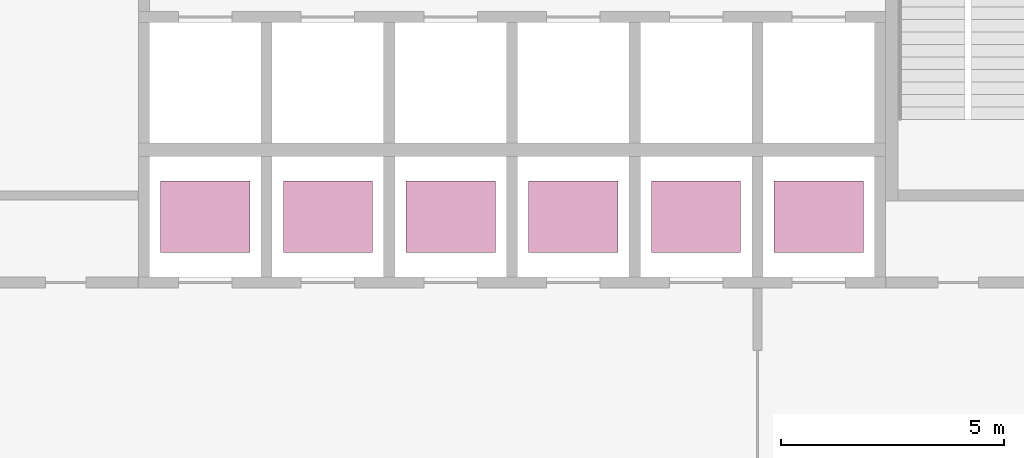
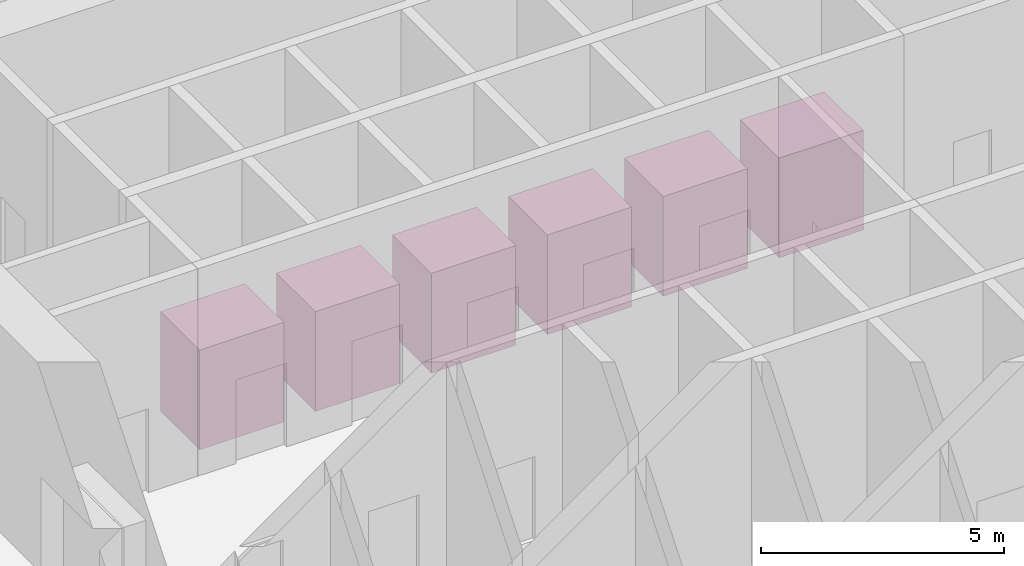
# One storey, part 20 of 21: 6 transport elements.
"""IFC4 building model written with IfcOpenShell, lengths in metres."""

from ifc_helpers import new_model, si_unit, direction, frame, origin, origin_2d, place, context, subcontext, project, spatial, rectangle, extrude, material, type_object, element, save


model = new_model("IFC4")

# Units and contexts
model_context = context("Model", 3, precision=1e-05, world=origin(), true_north=direction((0.0, 1.0)))
body_context = subcontext(model_context, "Body", "Model", "MODEL_VIEW")
ifc_project = project(units=[si_unit("LENGTHUNIT", "METRE"), si_unit("AREAUNIT", "SQUARE_METRE"), si_unit("VOLUMEUNIT", "CUBIC_METRE"), si_unit("PLANEANGLEUNIT", "RADIAN"), si_unit("MASSUNIT", "GRAM", prefix="KILO")], contexts=[model_context])

# Site, building, storey
site_placement = place(None, origin())
site = spatial("IfcSite", under=ifc_project, at=site_placement, CompositionType="ELEMENT")
building_placement = place(site_placement, origin())
building = spatial("IfcBuilding", under=site, at=building_placement, Name="Dilmun Exchange Tower", CompositionType="ELEMENT")
storey_placement = place(building_placement, frame((0.0, 0.0, 130.10009765625)))
storey = spatial("IfcBuildingStorey", under=building, at=storey_placement, Name="L30", CompositionType="ELEMENT", Elevation=130.10009765625)

# Transport elements
ifc_material = material(Name="Stainless steel", Category="steel")
transport_element_type = type_object("IfcTransportElementType", Name="Passenger lift car 2000x1600", PredefinedType="ELEVATOR", material=ifc_material)
for number, where, z_axis, x_axis, name in (
    (1, (-6.875, 4.199951171875, 0.0), (0.0, 0.0, 1.0), (1.0, 0.0, 0.0), "Mid-rise lift MR1"),
    (2, (-4.125, 4.199951171875, 0.0), (0.0, 0.0, 1.0), (1.0, 0.0, 0.0), "Mid-rise lift MR2"),
    (3, (-1.375, 4.199951171875, 0.0), (0.0, 0.0, 1.0), (1.0, 0.0, 0.0), "Mid-rise lift MR3"),
    (4, (1.375, 4.199951171875, 0.0), (0.0, 0.0, 1.0), (1.0, 0.0, 0.0), "Mid-rise lift MR4"),
    (5, (4.125, 4.199951171875, 0.0), (0.0, 0.0, 1.0), (1.0, 0.0, 0.0), "Mid-rise lift MR5"),
    (6, (6.875, 4.199951171875, 0.0), (0.0, 0.0, 1.0), (1.0, 0.0, 0.0), "Mid-rise lift MR6"),
):
    element("IfcTransportElement", number, at=place(storey_placement, frame(where, z_axis=z_axis, x_axis=x_axis)), inside=storey, type_object=transport_element_type, Name=name, PredefinedType="ELEVATOR", context=body_context, shape_type="SweptSolid", body=[
        extrude(rectangle(XDim=2.0, YDim=1.60009765625, at=origin_2d()), origin(), (0.0, 0.0, 1.0), 2.5),
    ])

save(model, "model.ifc")
